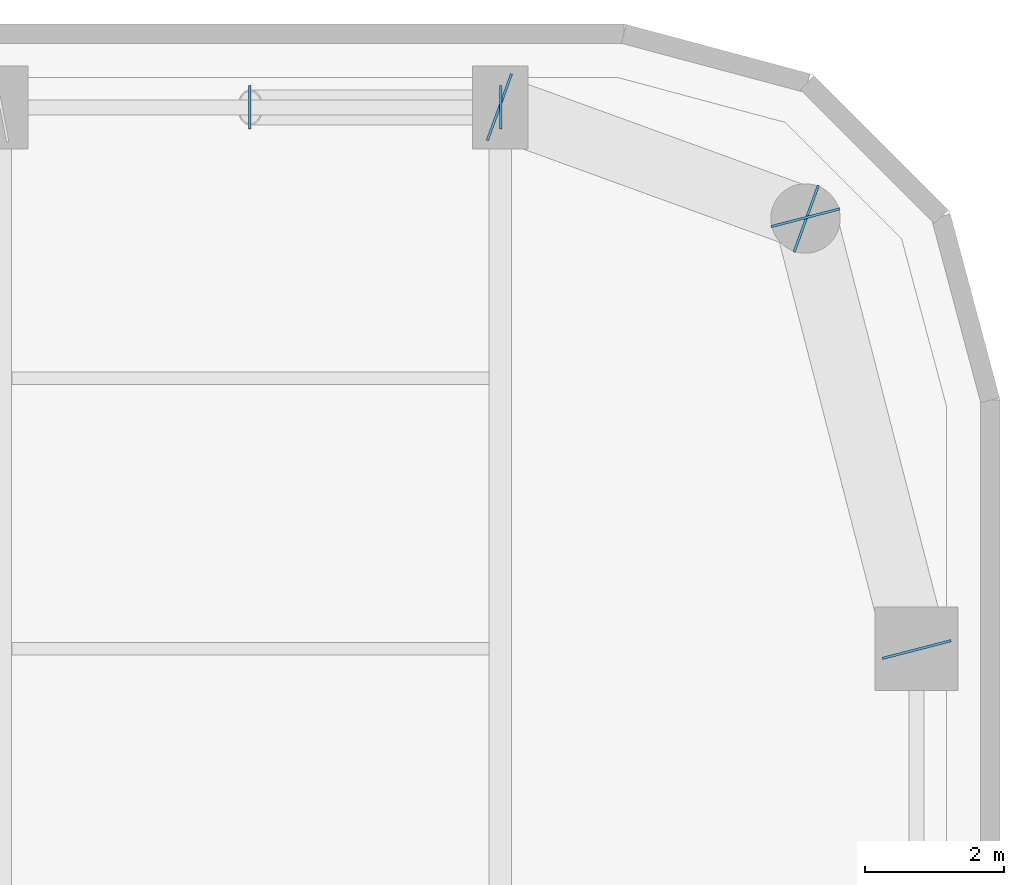
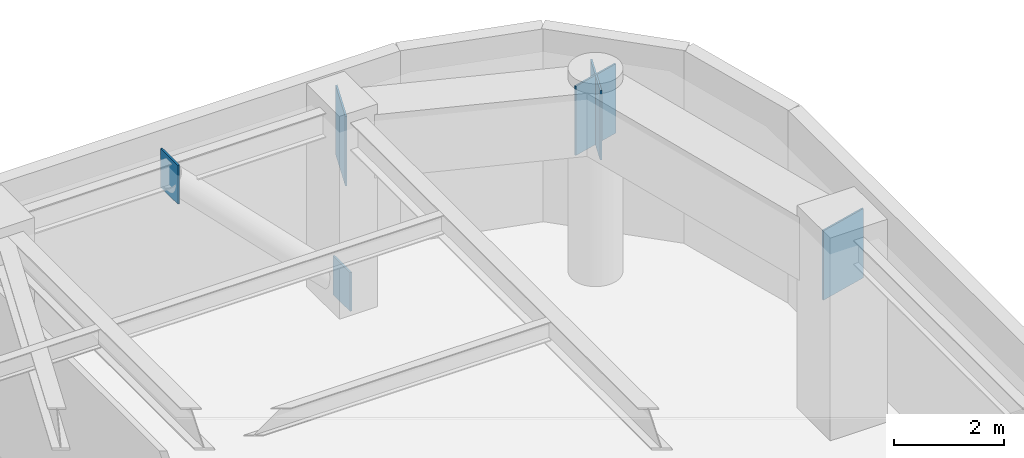
# One storey, part 14 of 21: 6 plates.
"""IFC4 building model written with IfcOpenShell, lengths in metres."""

from ifc_helpers import new_model, si_unit, direction, frame, origin, origin_2d, place, context, subcontext, project, spatial, rectangle, extrude, material, layer, layer_set, type_object, element, save


model = new_model("IFC4")

# Units and contexts
model_context = context("Model", 3, precision=1e-05, world=origin(), true_north=direction((0.0, 1.0)))
body_context = subcontext(model_context, "Body", "Model", "MODEL_VIEW")
ifc_project = project(units=[si_unit("LENGTHUNIT", "METRE"), si_unit("AREAUNIT", "SQUARE_METRE"), si_unit("VOLUMEUNIT", "CUBIC_METRE"), si_unit("PLANEANGLEUNIT", "RADIAN"), si_unit("MASSUNIT", "GRAM", prefix="KILO")], contexts=[model_context])

# Site, building, storey
site_placement = place(None, origin())
site = spatial("IfcSite", under=ifc_project, at=site_placement, CompositionType="ELEMENT")
building_placement = place(site_placement, origin())
building = spatial("IfcBuilding", under=site, at=building_placement, Name="Kiyonajd Concourse Tower", CompositionType="ELEMENT")
storey_placement = place(building_placement, frame((0.0, 0.0, 181.800048828125)))
storey = spatial("IfcBuildingStorey", under=building, at=storey_placement, Name="L46", CompositionType="ELEMENT", Elevation=181.800048828125)

# Plates
ifc_material = material(Name="Steel ASTM A572 Grade 50", Category="steel")
ifc_layer_1 = layer(ifc_material, 0.028076171875)
ifc_layer_set_1 = layer_set([ifc_layer_1], Name="Steel ASTM A572 Grade 50")
plate_type_1 = type_object("IfcPlateType", Name="PL-CAP-450", PredefinedType="USERDEFINED", material=ifc_layer_set_1)
for number, where, z_axis, x_axis, name in (
    (1, (63.607666015625, 61.199951171875, -0.13818359375), (0.0, 0.0, 1.0), (1.0, 0.0, 0.0), "L46 Hollow Brace End Cap Plate PBN"),
    (2, (59.9921875, 61.199951171875, 3.50732421875), (0.0, 0.0, 1.0), (-1.0, 0.0, 0.0), "L46 Hollow Brace Top Cap Plate PBN"),
):
    element("IfcPlate", number, at=place(storey_placement, frame(where, z_axis=z_axis, x_axis=x_axis)), inside=storey, type_object=plate_type_1, Name=name, ObjectType="CAP PLATE", PredefinedType="USERDEFINED", context=body_context, shape_type="SweptSolid", body=[
        extrude(rectangle(XDim=0.035888671875, YDim=0.6279296875, at=origin_2d()), origin(), (0.0, 0.0, 1.0), 0.861083984375),
    ])
ifc_layer_2 = layer(ifc_material, 0.031982421875)
ifc_layer_set_2 = layer_set([ifc_layer_2], Name="Steel ASTM A572 Grade 50")
plate_type_2 = type_object("IfcPlateType", Name="PL-CAP-540", PredefinedType="USERDEFINED", material=ifc_layer_set_2)
for number, where, z_axis, x_axis, name in (
    (3, (69.602783203125, 53.389404296875, 2.809814453125), (0.0, 0.0, 1.0), (0.249873048837, -0.968278606324, 0.0), "L46 Welded Box Girder End Cap"),
    (4, (67.997314453125, 59.610595703125, 2.809814453125), (0.0, 0.0, 1.0), (-0.249873048837, 0.968278606324, 0.0), "L46 Welded Box Girder End Cap"),
    (5, (68.01025390625, 59.59619140625, 2.809814453125), (0.0, 0.0, 1.0), (0.939811951086, -0.341692107891, 0.0), "L46 Welded Box Girder End Cap"),
    (6, (63.589599609375, 61.203857421875, 2.809814453125), (0.0, 0.0, 1.0), (-0.939811951086, 0.341692107891, 0.0), "L46 Welded Box Girder End Cap"),
):
    element("IfcPlate", number, at=place(storey_placement, frame(where, z_axis=z_axis, x_axis=x_axis)), inside=storey, type_object=plate_type_2, Name=name, ObjectType="CAP PLATE", PredefinedType="USERDEFINED", context=body_context, shape_type="SweptSolid", body=[
        extrude(rectangle(XDim=0.035888671875, YDim=1.02001953125, at=origin_2d()), origin(), (0.0, 0.0, 1.0), 1.5400390625),
    ])

save(model, "model.ifc")
